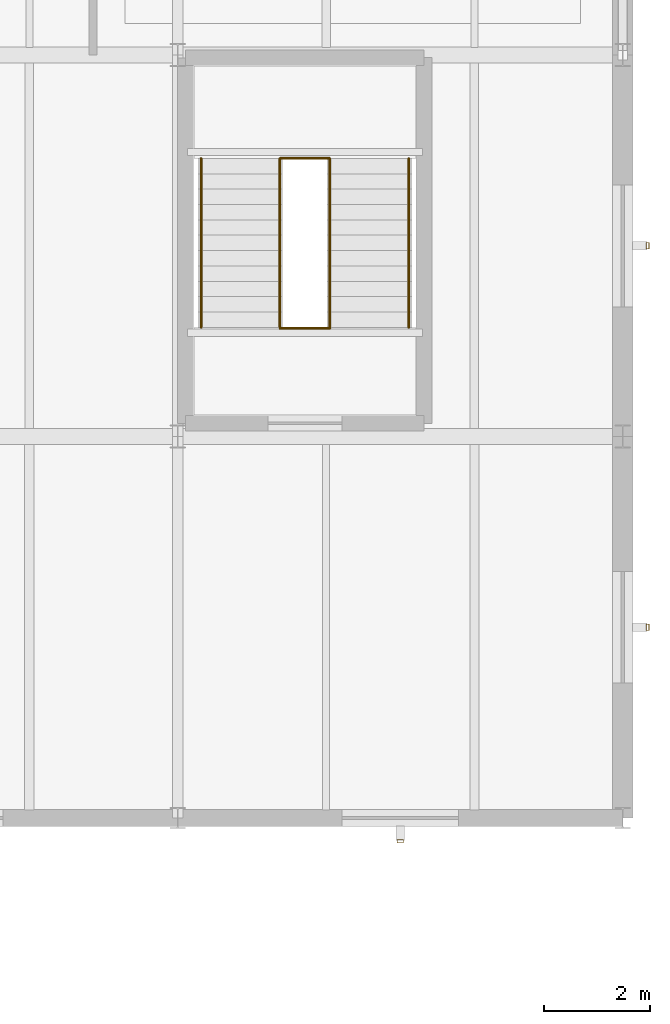
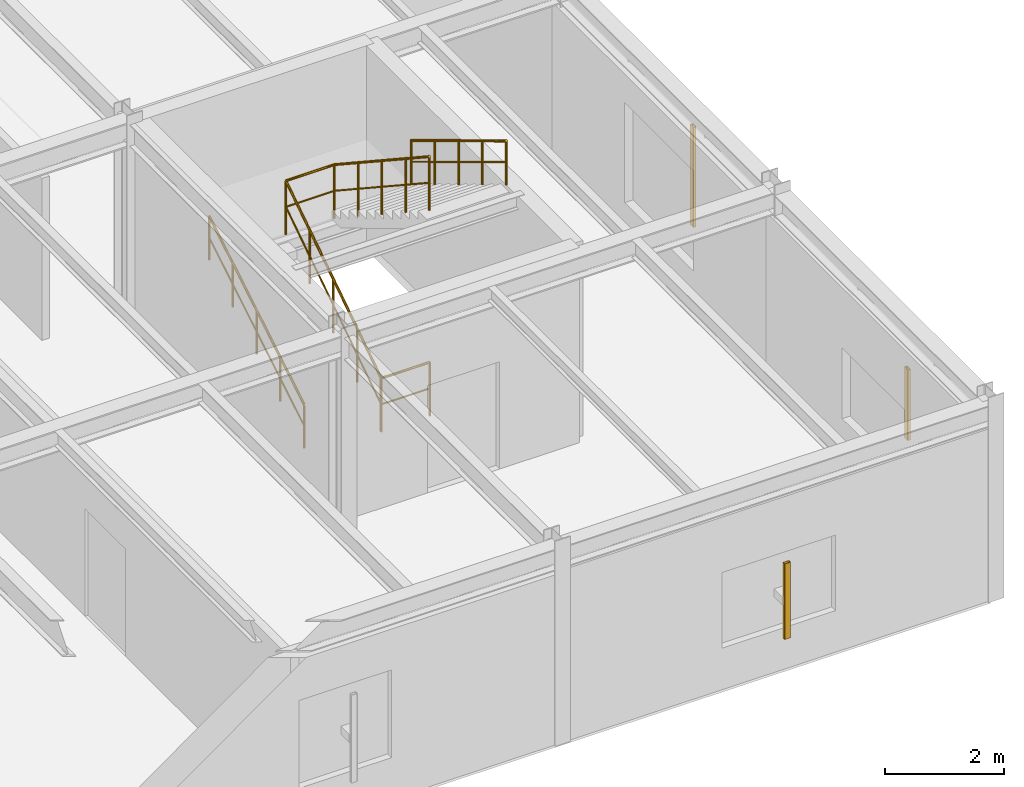
# One storey, part 96 of 109: 6 railings, 3 shading devices.
"""IFC4 building model written with IfcOpenShell, lengths in metres."""

import ifcopenshell
import ifcopenshell.guid

model = None  # the IFC model being written
_history = None  # IfcOwnerHistory: only IFC2X3 demands one
_inside = {}  # id of a spatial element -> (the spatial element, [elements in it])
_under = {}  # id of a project, library or spatial element -> (it, [spatial elements below it])
_declared = {}  # id of a project -> (the project, [libraries it declares])
_typed = {}  # id of a type object -> (the type object, [elements of that type])
_made_of = {}  # id of a material, layer set ... -> (it, [elements and type objects made of it])


def new_model(schema):
    """Start an empty IFC model of exactly this schema.

    Asked for "IFC4X3", IfcOpenShell would pick the latest addendum, in which some entities
    have other attributes; the version numbers below select the first issue.
    IFC2X3 requires an IfcOwnerHistory on every rooted entity: one is made here for all.
    """
    global model, _history
    if schema == "IFC4X3":
        model = ifcopenshell.file(schema_version=(4, 3, 0, 0))
    else:
        model = ifcopenshell.file(schema=schema)
    _inside.clear()
    _under.clear()
    _declared.clear()
    _typed.clear()
    _made_of.clear()
    _history = None
    if model.schema == "IFC2X3":
        org = make("IfcOrganization", Name="unknown")
        user = make(
            "IfcPersonAndOrganization",
            ThePerson=make("IfcPerson", FamilyName="unknown"),
            TheOrganization=org,
        )
        app = make(
            "IfcApplication",
            ApplicationDeveloper=org,
            Version="unknown",
            ApplicationFullName="unknown",
            ApplicationIdentifier="unknown",
        )
        _history = make(
            "IfcOwnerHistory",
            OwningUser=user,
            OwningApplication=app,
            ChangeAction="ADDED",
            CreationDate=0,
        )
    return model


def make(cls, **values):
    """One entity of the class cls with the attributes given. An attribute that is None is left unset."""
    return model.create_entity(
        cls, **{name: value for name, value in values.items() if value is not None}
    )


def rooted(cls, **values):
    """An entity with a GlobalId (a new one), such as an element, a storey or a relation."""
    return make(cls, GlobalId=ifcopenshell.guid.new(), OwnerHistory=_history, **values)


def si_unit(unit_type, name, prefix=None):
    """IfcSIUnit, for example si_unit("LENGTHUNIT", "METRE", prefix="MILLI")."""
    return make("IfcSIUnit", UnitType=unit_type, Prefix=prefix, Name=name)


def derived_unit(unit_type, elements):
    """IfcDerivedUnit: a product of units, each with its exponent."""
    return make(
        "IfcDerivedUnit",
        Elements=[
            make("IfcDerivedUnitElement", Unit=unit, Exponent=power)
            for unit, power in elements
        ],
        UnitType=unit_type,
    )


def assignment(units):
    """IfcUnitAssignment: the units of a project."""
    return None if units is None else make("IfcUnitAssignment", Units=units)


def point(xyz):
    """IfcCartesianPoint."""
    return None if xyz is None else make("IfcCartesianPoint", Coordinates=xyz)


def direction(xyz):
    """IfcDirection."""
    return None if xyz is None else make("IfcDirection", DirectionRatios=xyz)


def frame(location, z_axis=None, x_axis=None):
    """IfcAxis2Placement3D, a coordinate frame: its origin and axes. An axis left out is left unset."""
    return make(
        "IfcAxis2Placement3D",
        Location=point(location),
        Axis=direction(z_axis),
        RefDirection=direction(x_axis),
    )


def frame_2d(location, x_axis=None):
    """IfcAxis2Placement2D, a coordinate frame in the plane: its origin and x axis."""
    return make(
        "IfcAxis2Placement2D", Location=point(location), RefDirection=direction(x_axis)
    )


def origin():
    """The frame at (0, 0, 0) with its axes left unset."""
    return frame((0.0, 0.0, 0.0))


def origin_2d():
    """The frame at (0, 0) in the plane with its x axis left unset."""
    return frame_2d((0.0, 0.0))


def place(relative_to, where):
    """IfcLocalPlacement: puts the frame where relative to a parent placement (None: the world)."""
    return make(
        "IfcLocalPlacement", PlacementRelTo=relative_to, RelativePlacement=where
    )


def context(
    kind, dimensions, precision=None, world=None, true_north=None, identifier=None
):
    """IfcGeometricRepresentationContext, for example the 3D "Model" context."""
    return make(
        "IfcGeometricRepresentationContext",
        ContextIdentifier=identifier,
        ContextType=kind,
        CoordinateSpaceDimension=dimensions,
        Precision=precision,
        WorldCoordinateSystem=world,
        TrueNorth=true_north,
    )


def subcontext(parent, identifier, kind, view, scale=None):
    """IfcGeometricRepresentationSubContext, for example "Body" below "Model"."""
    return make(
        "IfcGeometricRepresentationSubContext",
        ContextIdentifier=identifier,
        ContextType=kind,
        ParentContext=parent,
        TargetScale=scale,
        TargetView=view,
    )


def project(units=None, contexts=None):
    """IfcProject with its units and contexts."""
    return rooted(
        "IfcProject",
        Name="project",
        RepresentationContexts=contexts,
        UnitsInContext=assignment(units),
    )


def spatial(cls, under=None, at=None, **own):
    """A site, building, storey or space (cls), placed at a placement, below another one or the project."""
    s = rooted(cls, ObjectPlacement=at, **own)
    if under is not None:
        _under.setdefault(under.id(), (under, []))[1].append(s)
    return s


def profile(cls, at=None, kind="AREA", **sizes):
    """A parametric profile (cls). Its sizes go by their IFC names, for example OverallWidth=200.0."""
    return make(cls, ProfileType=kind, Position=at, **sizes)


def hollow_rectangle(**sizes):
    """IfcRectangleHollowProfileDef."""
    return profile("IfcRectangleHollowProfileDef", **sizes)


def circle(**sizes):
    """IfcCircleProfileDef."""
    return profile("IfcCircleProfileDef", **sizes)


def extrude(swept, where, along, depth):
    """IfcExtrudedAreaSolid: the profile swept, set in the frame where, extruded along a direction by depth."""
    return make(
        "IfcExtrudedAreaSolid",
        SweptArea=swept,
        Position=where,
        ExtrudedDirection=direction(along),
        Depth=depth,
    )


def shape(context_of_items, identifier, shape_type, items):
    """IfcShapeRepresentation: the items that make up one representation, for example the "Body"."""
    return make(
        "IfcShapeRepresentation",
        ContextOfItems=context_of_items,
        RepresentationIdentifier=identifier,
        RepresentationType=shape_type,
        Items=items,
    )


def material(Name=None, Category=None):
    """IfcMaterial."""
    return make("IfcMaterial", Name=Name, Category=Category)


def material_profile(
    of_material, cross_section, Name=None, Category=None, Priority=None
):
    """IfcMaterialProfile: a cross section and its material."""
    return make(
        "IfcMaterialProfile",
        Name=Name,
        Material=of_material,
        Profile=cross_section,
        Priority=Priority,
        Category=Category,
    )


def profile_set(profiles, Name=None, composite=None):
    """IfcMaterialProfileSet."""
    return make(
        "IfcMaterialProfileSet",
        Name=Name,
        MaterialProfiles=profiles,
        CompositeProfile=composite,
    )


def made_of(thing, what):
    """Note that an element or type object is made of a material, layer set ...; save() writes the relation."""
    if what is not None:
        _made_of.setdefault(what.id(), (what, []))[1].append(thing)
    return thing


def type_object(cls, material=None, **own):
    """A type object (cls), such as IfcWallType, which elements share."""
    return made_of(rooted(cls, **own), material)


def element(
    cls,
    number,
    at=None,
    inside=None,
    cuts=None,
    type_object=None,
    material=None,
    context=None,
    identifier="Body",
    shape_type=None,
    held_by="IfcProductDefinitionShape",
    body=None,
    shapes=None,
    **own,
):
    """One element of the class cls, such as IfcWall. Its Tag is "e" and its number.

    at: its placement. inside: the storey or other place that contains it. cuts: it is an
    opening in that element (IfcRelVoidsElement). A single representation is given by context,
    identifier, shape_type and body (its items); several are given by shapes. held_by: the class
    of the entity that holds the representations. save() writes the other relations.
    """
    e = rooted(cls, Tag="e%d" % number, ObjectPlacement=at, **own)
    if body is not None:
        shapes = [shape(context, identifier, shape_type, body)]
    if shapes is not None:
        e.Representation = make(held_by, Representations=shapes)
    if inside is not None:
        _inside.setdefault(inside.id(), (inside, []))[1].append(e)
    if cuts is not None:
        rooted(
            "IfcRelVoidsElement", RelatingBuildingElement=cuts, RelatedOpeningElement=e
        )
    if type_object is not None:
        _typed.setdefault(type_object.id(), (type_object, []))[1].append(e)
    return made_of(e, material)


def aggregate(whole, parts):
    """IfcRelAggregates: a whole, such as a stair, and the parts it consists of."""
    return rooted("IfcRelAggregates", RelatingObject=whole, RelatedObjects=parts)


def save(model, path):
    """Write the relations noted so far, then the file.

    IfcRelAggregates (storeys below a building ...), IfcRelContainedInSpatialStructure (elements
    in a storey), IfcRelDefinesByType, IfcRelAssociatesMaterial and IfcRelDeclares: one each for
    every whole, place, type object, material and project.
    """
    for whole, parts in _under.values():
        aggregate(whole, parts)
    for where, things in _inside.values():
        rooted(
            "IfcRelContainedInSpatialStructure",
            RelatedElements=things,
            RelatingStructure=where,
        )
    for kind, things in _typed.values():
        rooted("IfcRelDefinesByType", RelatedObjects=things, RelatingType=kind)
    for what, things in _made_of.values():
        rooted("IfcRelAssociatesMaterial", RelatedObjects=things, RelatingMaterial=what)
    for by, libraries in _declared.values():
        rooted("IfcRelDeclares", RelatingContext=by, RelatedDefinitions=libraries)
    model.write(path)


model = new_model("IFC4")

# Units and contexts
model_context = context("Model", 3, precision=1e-05, world=origin(), true_north=direction((0.0, 1.0)))
body_context = subcontext(model_context, "Body", "Model", "MODEL_VIEW")
ifc_project = project(units=[si_unit("LENGTHUNIT", "METRE"), si_unit("AREAUNIT", "SQUARE_METRE"), si_unit("VOLUMEUNIT", "CUBIC_METRE"), si_unit("PLANEANGLEUNIT", "RADIAN"), si_unit("MASSUNIT", "GRAM", prefix="KILO"), derived_unit("THERMALTRANSMITTANCEUNIT", [(si_unit("MASSUNIT", "GRAM", prefix="KILO"), 1), (si_unit("TIMEUNIT", "SECOND"), -3), (si_unit("THERMODYNAMICTEMPERATUREUNIT", "KELVIN"), -1)])], contexts=[model_context])

# Site, building, storey
site_placement = place(None, origin())
site = spatial("IfcSite", under=ifc_project, at=site_placement, CompositionType="ELEMENT")
building_placement = place(site_placement, origin())
building = spatial("IfcBuilding", under=site, at=building_placement, Name="Kharveza Railside Sports Centre", CompositionType="ELEMENT")
storey_placement = place(building_placement, frame((0.0, 0.0, 4.5)))
storey = spatial("IfcBuildingStorey", under=building, at=storey_placement, Name="L01", CompositionType="ELEMENT", Elevation=4.5)

# Railings
ifc_material_1 = material(Name="Steel S275JR", Category="steel")
railing_type_1 = type_object("IfcRailingType", Name="RL-GD110", PredefinedType="GUARDRAIL", material=ifc_material_1)
railing_1_placement = place(storey_placement, frame((161.530029296875, 16.43994140625, 0.0)))
element("IfcRailing", 1, at=railing_1_placement, inside=storey, type_object=railing_type_1, Name="RL-STSLOT-ST11-L01", PredefinedType="GUARDRAIL", context=body_context, shape_type="SweptSolid", body=[
    extrude(circle(Radius=0.02392578125, at=origin_2d()), frame((0.0, 0.0, 1.09619140625), z_axis=(1.0, 0.0, 0.0), x_axis=(0.0, 1.0, 0.0)), (0.0, 0.0, 1.0), 0.93994140625),
    extrude(circle(Radius=0.01611328125, at=origin_2d()), frame((0.0, 0.0, 0.56005859375), z_axis=(1.0, 0.0, 0.0), x_axis=(0.0, 1.0, 0.0)), (0.0, 0.0, 1.0), 0.93994140625),
    extrude(circle(Radius=0.02099609375, at=origin_2d()), origin(), (0.0, 0.0, 1.0), 1.072021484375),
    extrude(circle(Radius=0.02099609375, at=origin_2d()), frame((0.93994140625, 0.0, 0.0)), (0.0, 0.0, 1.0), 1.072021484375),
])
railing_2_placement = place(storey_placement, frame((161.530029296875, 16.4599609375, 0.0)))
element("IfcRailing", 2, at=railing_2_placement, inside=storey, type_object=railing_type_1, Name="STR-ST11-L01-GD1", PredefinedType="GUARDRAIL", context=body_context, shape_type="SweptSolid", body=[
    extrude(circle(Radius=0.02392578125, at=origin_2d()), frame((0.0, 0.0, 1.09619140625), z_axis=(0.0, 0.835242474824, 0.549881812983), x_axis=(-1.0, 0.0, 0.0)), (0.0, 0.0, 1.0), 3.819091796875),
    extrude(circle(Radius=0.01611328125, at=origin_2d()), frame((0.0, 0.0, 0.56005859375), z_axis=(0.0, 0.835242474824, 0.549881812983), x_axis=(-1.0, 0.0, 0.0)), (0.0, 0.0, 1.0), 3.819091796875),
    extrude(circle(Radius=0.02099609375, at=origin_2d()), origin(), (0.0, 0.0, 1.0), 1.072021484375),
    extrude(circle(Radius=0.02099609375, at=origin_2d()), frame((0.0, 0.79736328125, 0.52490234375)), (0.0, 0.0, 1.0), 1.072021484375),
    extrude(circle(Radius=0.02099609375, at=origin_2d()), frame((0.0, 1.594970703125, 1.050048828125)), (0.0, 0.0, 1.0), 1.072021484375),
    extrude(circle(Radius=0.02099609375, at=origin_2d()), frame((0.0, 2.392578125, 1.5751953125)), (0.0, 0.0, 1.0), 1.072021484375),
    extrude(circle(Radius=0.02099609375, at=origin_2d()), frame((0.0, 3.18994140625, 2.10009765625)), (0.0, 0.0, 1.0), 1.072021484375),
])
railing_3_placement = place(storey_placement, frame((162.469970703125, 19.64990234375, 2.10009765625)))
element("IfcRailing", 3, at=railing_3_placement, inside=storey, type_object=railing_type_1, Name="STR-ST11-L01-GD2", PredefinedType="GUARDRAIL", context=body_context, shape_type="SweptSolid", body=[
    extrude(circle(Radius=0.02392578125, at=origin_2d()), frame((0.0, 0.0, 1.09619140625), z_axis=(0.0, -0.835271834381, 0.549837214719), x_axis=(1.0, 0.0, 0.0)), (0.0, 0.0, 1.0), 3.819091796875),
    extrude(circle(Radius=0.01611328125, at=origin_2d()), frame((0.0, 0.0, 0.56005859375), z_axis=(0.0, -0.835271834381, 0.549837214719), x_axis=(1.0, 0.0, 0.0)), (0.0, 0.0, 1.0), 3.819091796875),
    extrude(circle(Radius=0.02099609375, at=origin_2d()), origin(), (0.0, 0.0, 1.0), 1.072021484375),
    extrude(circle(Radius=0.02099609375, at=origin_2d()), frame((0.0, -0.79736328125, 0.52490234375)), (0.0, 0.0, 1.0), 1.072021484375),
    extrude(circle(Radius=0.02099609375, at=origin_2d()), frame((0.0, -1.594970703125, 1.0498046875)), (0.0, 0.0, 1.0), 1.072021484375),
    extrude(circle(Radius=0.02099609375, at=origin_2d()), frame((0.0, -2.392578125, 1.574951171875)), (0.0, 0.0, 1.0), 1.072021484375),
    extrude(circle(Radius=0.02099609375, at=origin_2d()), frame((0.0, -3.18994140625, 2.099853515625)), (0.0, 0.0, 1.0), 1.072021484375),
])
railing_4_placement = place(storey_placement, frame((161.530029296875, 19.64990234375, 2.10009765625)))
element("IfcRailing", 4, at=railing_4_placement, inside=storey, type_object=railing_type_1, Name="STR-ST11-L01-GDH", PredefinedType="GUARDRAIL", context=body_context, shape_type="SweptSolid", body=[
    extrude(circle(Radius=0.02392578125, at=origin_2d()), frame((0.0, 0.0, 1.09619140625), z_axis=(1.0, 0.0, 0.0), x_axis=(0.0, 1.0, 0.0)), (0.0, 0.0, 1.0), 0.93994140625),
    extrude(circle(Radius=0.01611328125, at=origin_2d()), frame((0.0, 0.0, 0.56005859375), z_axis=(1.0, 0.0, 0.0), x_axis=(0.0, 1.0, 0.0)), (0.0, 0.0, 1.0), 0.93994140625),
    extrude(circle(Radius=0.02099609375, at=origin_2d()), origin(), (0.0, 0.0, 1.0), 1.072021484375),
    extrude(circle(Radius=0.02099609375, at=origin_2d()), frame((0.93994140625, 0.0, 0.0)), (0.0, 0.0, 1.0), 1.072021484375),
])
railing_type_2 = type_object("IfcRailingType", Name="RL-HR092", PredefinedType="HANDRAIL", material=ifc_material_1)
railing_5_placement = place(storey_placement, frame((160.0400390625, 16.4599609375, 0.175048828125)))
element("IfcRailing", 5, at=railing_5_placement, inside=storey, type_object=railing_type_2, Name="STR-ST11-L01-HR1", PredefinedType="HANDRAIL", context=body_context, shape_type="SweptSolid", body=[
    extrude(circle(Radius=0.02392578125, at=origin_2d()), frame((0.0, 0.0, 0.89599609375), z_axis=(0.0, 0.856177665481, 0.516681531633), x_axis=(-1.0, 0.0, 0.0)), (0.0, 0.0, 1.0), 3.725830078125),
    extrude(circle(Radius=0.01611328125, at=origin_2d()), frame((0.0, 0.0, 0.4599609375), z_axis=(0.0, 0.856177665481, 0.516681531633), x_axis=(-1.0, 0.0, 0.0)), (0.0, 0.0, 1.0), 3.725830078125),
    extrude(circle(Radius=0.02099609375, at=origin_2d()), origin(), (0.0, 0.0, 1.0), 0.871826171875),
    extrude(circle(Radius=0.02099609375, at=origin_2d()), frame((0.0, 0.79736328125, 0.481201171875)), (0.0, 0.0, 1.0), 0.871826171875),
    extrude(circle(Radius=0.02099609375, at=origin_2d()), frame((0.0, 1.594970703125, 0.96240234375)), (0.0, 0.0, 1.0), 0.871826171875),
    extrude(circle(Radius=0.02099609375, at=origin_2d()), frame((0.0, 2.392578125, 1.44384765625)), (0.0, 0.0, 1.0), 0.871826171875),
    extrude(circle(Radius=0.02099609375, at=origin_2d()), frame((0.0, 3.18994140625, 1.925048828125)), (0.0, 0.0, 1.0), 0.871826171875),
])
railing_6_placement = place(storey_placement, frame((163.9599609375, 19.64990234375, 2.27490234375)))
element("IfcRailing", 6, at=railing_6_placement, inside=storey, type_object=railing_type_2, Name="STR-ST11-L01-HR2", PredefinedType="HANDRAIL", context=body_context, shape_type="SweptSolid", body=[
    extrude(circle(Radius=0.02392578125, at=origin_2d()), frame((0.0, 0.0, 0.89599609375), z_axis=(0.0, -0.856177665481, 0.516681531633), x_axis=(1.0, 0.0, 0.0)), (0.0, 0.0, 1.0), 3.725830078125),
    extrude(circle(Radius=0.01611328125, at=origin_2d()), frame((0.0, 0.0, 0.4599609375), z_axis=(0.0, -0.856177665481, 0.516681531633), x_axis=(1.0, 0.0, 0.0)), (0.0, 0.0, 1.0), 3.725830078125),
    extrude(circle(Radius=0.02099609375, at=origin_2d()), origin(), (0.0, 0.0, 1.0), 0.871826171875),
    extrude(circle(Radius=0.02099609375, at=origin_2d()), frame((0.0, -0.79736328125, 0.481201171875)), (0.0, 0.0, 1.0), 0.871826171875),
    extrude(circle(Radius=0.02099609375, at=origin_2d()), frame((0.0, -1.594970703125, 0.96240234375)), (0.0, 0.0, 1.0), 0.871826171875),
    extrude(circle(Radius=0.02099609375, at=origin_2d()), frame((0.0, -2.392578125, 1.44384765625)), (0.0, 0.0, 1.0), 0.871826171875),
    extrude(circle(Radius=0.02099609375, at=origin_2d()), frame((0.0, -3.18994140625, 1.925048828125)), (0.0, 0.0, 1.0), 0.871826171875),
])

# Shading devices
ifc_material_2 = material(Name="Anodised aluminium 6063-T6", Category="aluminium")
ifc_material_profile = material_profile(ifc_material_2, hollow_rectangle(XDim=0.06005859375, YDim=0.1201171875, WallThickness=0.0048828125, InnerFilletRadius=0.0048828125, OuterFilletRadius=0.010009765625, at=origin_2d()), Name="RHS 60x120x5.0")
ifc_profile_set = profile_set([ifc_material_profile], Name="Anodised aluminium 6063-T6")
shading_device_type = type_object("IfcShadingDeviceType", Name="SD-LV01", PredefinedType="JALOUSIE", material=ifc_profile_set)
shading_device_1_placement = place(storey_placement, frame((163.800048828125, 6.760009765625, 0.85009765625), z_axis=(0.0, 0.0, 1.0), x_axis=(0.0, -1.0, 0.0)))
element("IfcShadingDevice", 7, at=shading_device_1_placement, inside=storey, type_object=shading_device_type, Name="SD-FIN-037", PredefinedType="JALOUSIE", context=body_context, shape_type="SweptSolid", body=[
    extrude(hollow_rectangle(XDim=0.06005859375, YDim=0.1201171875, WallThickness=0.0048828125, InnerFilletRadius=0.0048828125, OuterFilletRadius=0.010009765625, at=origin_2d()), origin(), (0.0, 0.0, 1.0), 1.5498046875),
])
shading_device_2_placement = place(storey_placement, frame((168.469970703125, 10.800048828125, 0.85009765625), z_axis=(0.0, 0.0, 1.0), x_axis=(1.0, 0.0, 0.0)))
element("IfcShadingDevice", 8, at=shading_device_2_placement, inside=storey, type_object=shading_device_type, Name="SD-FIN-038", PredefinedType="JALOUSIE", context=body_context, shape_type="SweptSolid", body=[
    extrude(hollow_rectangle(XDim=0.06005859375, YDim=0.1201171875, WallThickness=0.0048828125, InnerFilletRadius=0.0048828125, OuterFilletRadius=0.010009765625, at=origin_2d()), origin(), (0.0, 0.0, 1.0), 1.449951171875),
])
shading_device_3_placement = place(storey_placement, frame((168.469970703125, 18.0, 0.85009765625), z_axis=(0.0, 0.0, 1.0), x_axis=(1.0, 0.0, 0.0)))
element("IfcShadingDevice", 9, at=shading_device_3_placement, inside=storey, type_object=shading_device_type, Name="SD-FIN-039", PredefinedType="JALOUSIE", context=body_context, shape_type="SweptSolid", body=[
    extrude(hollow_rectangle(XDim=0.06005859375, YDim=0.1201171875, WallThickness=0.0048828125, InnerFilletRadius=0.0048828125, OuterFilletRadius=0.010009765625, at=origin_2d()), origin(), (0.0, 0.0, 1.0), 2.0498046875),
])

save(model, "model.ifc")
